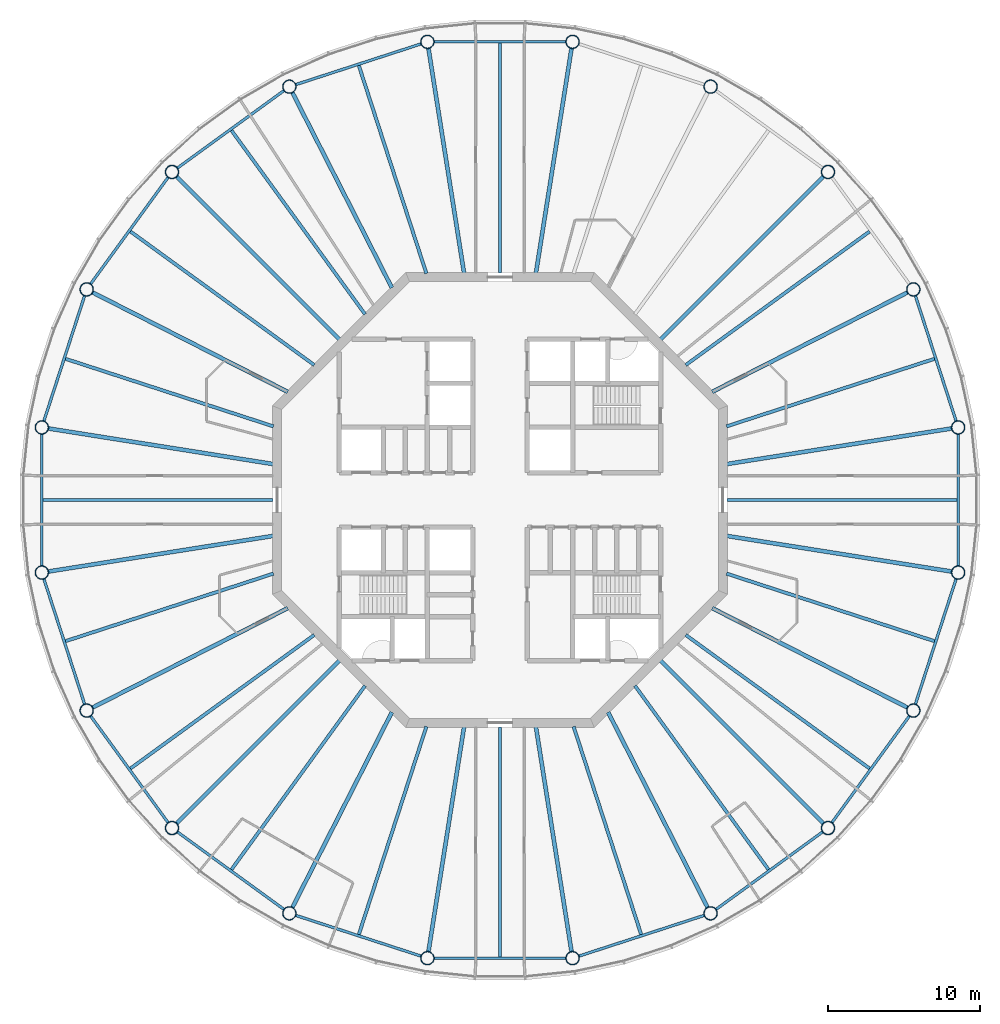
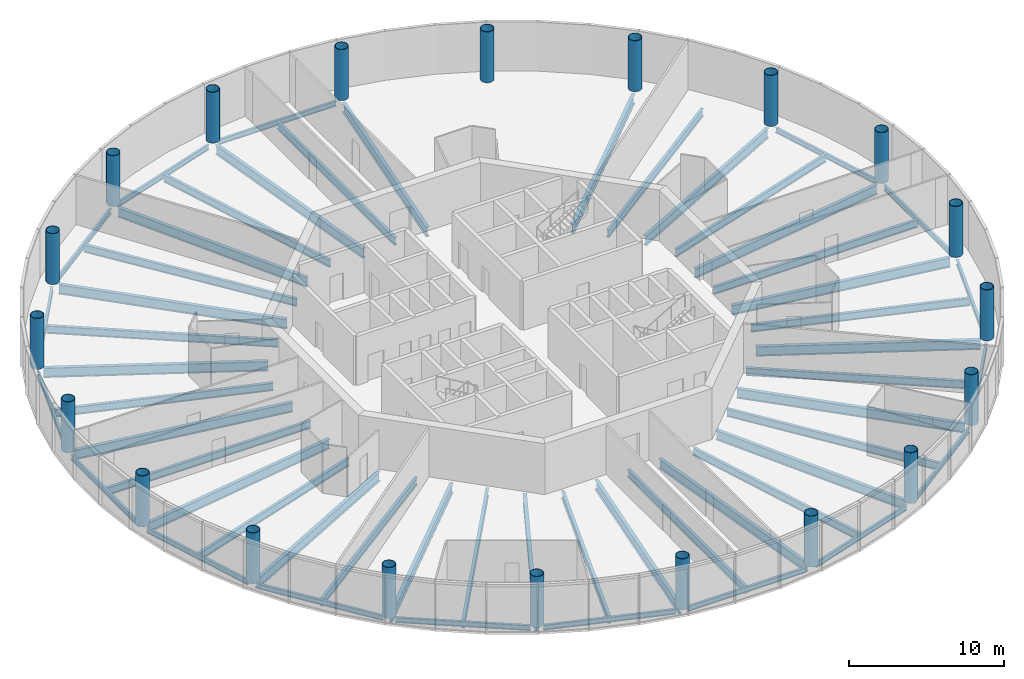
# One storey, part 1 of 13: 54 beams, 20 columns.
"""IFC4 building model written with IfcOpenShell, lengths in metres."""

from ifc_helpers import new_model, si_unit, direction, frame, origin, origin_2d, place, context, subcontext, project, spatial, circle, hollow_circle, i_section, extrude, material, material_profile, profile_set, type_object, element, save


model = new_model("IFC4")

# Units and contexts
model_context = context("Model", 3, precision=1e-05, world=origin(), true_north=direction((0.0, 1.0)))
body_context = subcontext(model_context, "Body", "Model", "MODEL_VIEW")
ifc_project = project(units=[si_unit("LENGTHUNIT", "METRE"), si_unit("AREAUNIT", "SQUARE_METRE"), si_unit("VOLUMEUNIT", "CUBIC_METRE"), si_unit("PLANEANGLEUNIT", "RADIAN"), si_unit("MASSUNIT", "GRAM", prefix="KILO")], contexts=[model_context])

# Site, building, storey
site_placement = place(None, origin())
site = spatial("IfcSite", under=ifc_project, at=site_placement, CompositionType="ELEMENT")
building_placement = place(site_placement, origin())
building = spatial("IfcBuilding", under=site, at=building_placement, Name="Entoto Ring Tower", CompositionType="ELEMENT")
storey_placement = place(building_placement, frame((0.0, 0.0, 344.0)))
storey = spatial("IfcBuildingStorey", under=building, at=storey_placement, Name="L79", CompositionType="ELEMENT", Elevation=344.0)

# Columns
ifc_material_1 = material(Name="Steel S355", Category="steel")
ifc_material_profile_1 = material_profile(ifc_material_1, hollow_circle(Radius=0.449951171875, WallThickness=0.0400390625, at=origin_2d()), Name="CHS 900 x 40")
ifc_material_2 = material(Name="Concrete C60/75", Category="concrete")
ifc_material_profile_2 = material_profile(ifc_material_2, circle(Radius=0.409912109375, at=origin_2d()), Name="Concrete C60/75 infill")
ifc_profile_set_1 = profile_set([ifc_material_profile_1, ifc_material_profile_2], Name="Steel S355")
column_type = type_object("IfcColumnType", Name="Ring column 900 x 40 concrete-filled tube", PredefinedType="COLUMN", material=ifc_profile_set_1)
for number, where, z_axis, x_axis, name in (
    (1, (120.22314453125, 84.786865234375, 0.0), (0.0, 0.0, 1.0), (1.0, 0.0, 0.0), "RC6 R01"),
    (2, (117.264892578125, 93.89208984375, 0.0), (0.0, 0.0, 1.0), (1.0, 0.0, 0.0), "RC6 R02"),
    (3, (111.637451171875, 101.637451171875, 0.0), (0.0, 0.0, 1.0), (1.0, 0.0, 0.0), "RC6 R03"),
    (4, (103.89208984375, 107.264892578125, 0.0), (0.0, 0.0, 1.0), (1.0, 0.0, 0.0), "RC6 R04"),
    (5, (94.786865234375, 110.22314453125, 0.0), (0.0, 0.0, 1.0), (1.0, 0.0, 0.0), "RC6 R05"),
    (6, (85.213134765625, 110.22314453125, 0.0), (0.0, 0.0, 1.0), (1.0, 0.0, 0.0), "RC6 R06"),
    (7, (76.10791015625, 107.264892578125, 0.0), (0.0, 0.0, 1.0), (1.0, 0.0, 0.0), "RC6 R07"),
    (8, (68.362548828125, 101.637451171875, 0.0), (0.0, 0.0, 1.0), (1.0, 0.0, 0.0), "RC6 R08"),
    (9, (62.735107421875, 93.89208984375, 0.0), (0.0, 0.0, 1.0), (1.0, 0.0, 0.0), "RC6 R09"),
    (10, (59.77685546875, 84.786865234375, 0.0), (0.0, 0.0, 1.0), (1.0, 0.0, 0.0), "RC6 R10"),
    (11, (59.77685546875, 75.213134765625, 0.0), (0.0, 0.0, 1.0), (1.0, 0.0, 0.0), "RC6 R11"),
    (12, (62.735107421875, 66.10791015625, 0.0), (0.0, 0.0, 1.0), (1.0, 0.0, 0.0), "RC6 R12"),
    (13, (68.362548828125, 58.362548828125, 0.0), (0.0, 0.0, 1.0), (1.0, 0.0, 0.0), "RC6 R13"),
    (14, (76.10791015625, 52.735107421875, 0.0), (0.0, 0.0, 1.0), (1.0, 0.0, 0.0), "RC6 R14"),
    (15, (85.213134765625, 49.77685546875, 0.0), (0.0, 0.0, 1.0), (1.0, 0.0, 0.0), "RC6 R15"),
    (16, (94.786865234375, 49.77685546875, 0.0), (0.0, 0.0, 1.0), (1.0, 0.0, 0.0), "RC6 R16"),
    (17, (103.89208984375, 52.735107421875, 0.0), (0.0, 0.0, 1.0), (1.0, 0.0, 0.0), "RC6 R17"),
    (18, (111.637451171875, 58.362548828125, 0.0), (0.0, 0.0, 1.0), (1.0, 0.0, 0.0), "RC6 R18"),
    (19, (117.264892578125, 66.10791015625, 0.0), (0.0, 0.0, 1.0), (1.0, 0.0, 0.0), "RC6 R19"),
    (20, (120.22314453125, 75.213134765625, 0.0), (0.0, 0.0, 1.0), (1.0, 0.0, 0.0), "RC6 R20"),
):
    element("IfcColumn", number, at=place(storey_placement, frame(where, z_axis=z_axis, x_axis=x_axis)), inside=storey, type_object=column_type, Name=name, PredefinedType="COLUMN", context=body_context, shape_type="SweptSolid", body=[
        extrude(hollow_circle(Radius=0.449951171875, WallThickness=0.0400390625, at=origin_2d()), origin(), (0.0, 0.0, 1.0), 4.0),
    ])

# Beams
ifc_material_3 = material(Name="Steel S355", Category="steel")
ifc_material_profile_3 = material_profile(ifc_material_3, i_section(OverallWidth=0.179931640625, OverallDepth=0.39990234375, WebThickness=0.008544921875, FlangeThickness=0.013427734375, FilletRadius=0.02099609375, at=origin_2d()), Name="IPE 400")
ifc_profile_set_2 = profile_set([ifc_material_profile_3], Name="Steel S355")
beam_type_1 = type_object("IfcBeamType", Name="Edge beam IPE 400", PredefinedType="SPANDREL", material=ifc_profile_set_2)
beam_1_placement = place(storey_placement, frame((120.09326171875, 85.187255859375, -0.35009765625), z_axis=(-0.309030438368, 0.951052147972, 0.0), x_axis=(-0.951052147972, -0.309030438368, 0.0)))
element("IfcBeam", 21, at=beam_1_placement, inside=storey, type_object=beam_type_1, Name="Edge beam L79 01", PredefinedType="SPANDREL", context=body_context, shape_type="SweptSolid", body=[
    extrude(i_section(OverallWidth=0.179931640625, OverallDepth=0.39990234375, WebThickness=0.008544921875, FlangeThickness=0.013427734375, FilletRadius=0.02099609375, at=origin_2d()), origin(), (0.0, 0.0, 1.0), 8.732177734375),
])
beam_2_placement = place(storey_placement, frame((94.365966796875, 110.22314453125, -0.35009765625), z_axis=(-1.0, 0.0, 0.0), x_axis=(0.0, -1.0, 0.0)))
element("IfcBeam", 22, at=beam_2_placement, inside=storey, type_object=beam_type_1, Name="Edge beam L79 05", PredefinedType="SPANDREL", context=body_context, shape_type="SweptSolid", body=[
    extrude(i_section(OverallWidth=0.179931640625, OverallDepth=0.39990234375, WebThickness=0.008544921875, FlangeThickness=0.013427734375, FilletRadius=0.02099609375, at=origin_2d()), origin(), (0.0, 0.0, 1.0), 8.73193359375),
])
beam_3_placement = place(storey_placement, frame((84.812744140625, 110.09326171875, -0.35009765625), z_axis=(-0.951052147972, -0.309030438368, 0.0), x_axis=(0.309030438368, -0.951052147972, 0.0)))
element("IfcBeam", 23, at=beam_3_placement, inside=storey, type_object=beam_type_1, Name="Edge beam L79 06", PredefinedType="SPANDREL", context=body_context, shape_type="SweptSolid", body=[
    extrude(i_section(OverallWidth=0.179931640625, OverallDepth=0.39990234375, WebThickness=0.008544921875, FlangeThickness=0.013427734375, FilletRadius=0.02099609375, at=origin_2d()), origin(), (0.0, 0.0, 1.0), 8.732177734375),
])
for number, where, z_axis, x_axis, name in (
    (24, (75.767333984375, 107.017333984375, -0.35009765625), (-0.80901045354, -0.587794254874, 0.0), (0.587794254874, -0.80901045354, 0.0), "Edge beam L79 07"),
    (25, (68.115234375, 101.296875, -0.35009765625), (-0.587794254874, -0.80901045354, 0.0), (0.80901045354, -0.587794254874, 0.0), "Edge beam L79 08"),
):
    element("IfcBeam", number, at=place(storey_placement, frame(where, z_axis=z_axis, x_axis=x_axis)), inside=storey, type_object=beam_type_1, Name=name, PredefinedType="SPANDREL", context=body_context, shape_type="SweptSolid", body=[
        extrude(i_section(OverallWidth=0.179931640625, OverallDepth=0.39990234375, WebThickness=0.008544921875, FlangeThickness=0.013427734375, FilletRadius=0.02099609375, at=origin_2d()), origin(), (0.0, 0.0, 1.0), 8.73193359375),
    ])
beam_4_placement = place(storey_placement, frame((62.605224609375, 93.491943359375, -0.35009765625), z_axis=(-0.309030438368, -0.951052147972, 0.0), x_axis=(0.951052147972, -0.309030438368, 0.0)))
element("IfcBeam", 26, at=beam_4_placement, inside=storey, type_object=beam_type_1, Name="Edge beam L79 09", PredefinedType="SPANDREL", context=body_context, shape_type="SweptSolid", body=[
    extrude(i_section(OverallWidth=0.179931640625, OverallDepth=0.39990234375, WebThickness=0.008544921875, FlangeThickness=0.013427734375, FilletRadius=0.02099609375, at=origin_2d()), origin(), (0.0, 0.0, 1.0), 8.732177734375),
])
beam_5_placement = place(storey_placement, frame((59.77685546875, 84.365966796875, -0.35009765625), z_axis=(0.0, -1.0, 0.0), x_axis=(1.0, 0.0, 0.0)))
element("IfcBeam", 27, at=beam_5_placement, inside=storey, type_object=beam_type_1, Name="Edge beam L79 10", PredefinedType="SPANDREL", context=body_context, shape_type="SweptSolid", body=[
    extrude(i_section(OverallWidth=0.179931640625, OverallDepth=0.39990234375, WebThickness=0.008544921875, FlangeThickness=0.013427734375, FilletRadius=0.02099609375, at=origin_2d()), origin(), (0.0, 0.0, 1.0), 8.73193359375),
])
beam_6_placement = place(storey_placement, frame((59.90673828125, 74.812744140625, -0.35009765625), z_axis=(0.309030438368, -0.951052147972, 0.0), x_axis=(0.951052147972, 0.309030438368, 0.0)))
element("IfcBeam", 28, at=beam_6_placement, inside=storey, type_object=beam_type_1, Name="Edge beam L79 11", PredefinedType="SPANDREL", context=body_context, shape_type="SweptSolid", body=[
    extrude(i_section(OverallWidth=0.179931640625, OverallDepth=0.39990234375, WebThickness=0.008544921875, FlangeThickness=0.013427734375, FilletRadius=0.02099609375, at=origin_2d()), origin(), (0.0, 0.0, 1.0), 8.732177734375),
])
for number, where, z_axis, x_axis, name in (
    (29, (62.982666015625, 65.767333984375, -0.35009765625), (0.587794254874, -0.80901045354, 0.0), (0.80901045354, 0.587794254874, 0.0), "Edge beam L79 12"),
    (30, (68.703125, 58.115234375, -0.35009765625), (0.80901045354, -0.587794254874, 0.0), (0.587794254874, 0.80901045354, 0.0), "Edge beam L79 13"),
):
    element("IfcBeam", number, at=place(storey_placement, frame(where, z_axis=z_axis, x_axis=x_axis)), inside=storey, type_object=beam_type_1, Name=name, PredefinedType="SPANDREL", context=body_context, shape_type="SweptSolid", body=[
        extrude(i_section(OverallWidth=0.179931640625, OverallDepth=0.39990234375, WebThickness=0.008544921875, FlangeThickness=0.013427734375, FilletRadius=0.02099609375, at=origin_2d()), origin(), (0.0, 0.0, 1.0), 8.73193359375),
    ])
beam_7_placement = place(storey_placement, frame((76.508056640625, 52.605224609375, -0.35009765625), z_axis=(0.951052147972, -0.309030438368, 0.0), x_axis=(0.309030438368, 0.951052147972, 0.0)))
element("IfcBeam", 31, at=beam_7_placement, inside=storey, type_object=beam_type_1, Name="Edge beam L79 14", PredefinedType="SPANDREL", context=body_context, shape_type="SweptSolid", body=[
    extrude(i_section(OverallWidth=0.179931640625, OverallDepth=0.39990234375, WebThickness=0.008544921875, FlangeThickness=0.013427734375, FilletRadius=0.02099609375, at=origin_2d()), origin(), (0.0, 0.0, 1.0), 8.732177734375),
])
beam_8_placement = place(storey_placement, frame((85.634033203125, 49.77685546875, -0.35009765625), z_axis=(1.0, 0.0, 0.0), x_axis=(0.0, 1.0, 0.0)))
element("IfcBeam", 32, at=beam_8_placement, inside=storey, type_object=beam_type_1, Name="Edge beam L79 15", PredefinedType="SPANDREL", context=body_context, shape_type="SweptSolid", body=[
    extrude(i_section(OverallWidth=0.179931640625, OverallDepth=0.39990234375, WebThickness=0.008544921875, FlangeThickness=0.013427734375, FilletRadius=0.02099609375, at=origin_2d()), origin(), (0.0, 0.0, 1.0), 8.73193359375),
])
beam_9_placement = place(storey_placement, frame((95.187255859375, 49.90673828125, -0.35009765625), z_axis=(0.951052147972, 0.309030438368, 0.0), x_axis=(-0.309030438368, 0.951052147972, 0.0)))
element("IfcBeam", 33, at=beam_9_placement, inside=storey, type_object=beam_type_1, Name="Edge beam L79 16", PredefinedType="SPANDREL", context=body_context, shape_type="SweptSolid", body=[
    extrude(i_section(OverallWidth=0.179931640625, OverallDepth=0.39990234375, WebThickness=0.008544921875, FlangeThickness=0.013427734375, FilletRadius=0.02099609375, at=origin_2d()), origin(), (0.0, 0.0, 1.0), 8.732177734375),
])
for number, where, z_axis, x_axis, name in (
    (34, (104.232666015625, 52.982666015625, -0.35009765625), (0.80901045354, 0.587794254874, 0.0), (-0.587794254874, 0.80901045354, 0.0), "Edge beam L79 17"),
    (35, (111.884765625, 58.703125, -0.35009765625), (0.587794254874, 0.80901045354, 0.0), (-0.80901045354, 0.587794254874, 0.0), "Edge beam L79 18"),
):
    element("IfcBeam", number, at=place(storey_placement, frame(where, z_axis=z_axis, x_axis=x_axis)), inside=storey, type_object=beam_type_1, Name=name, PredefinedType="SPANDREL", context=body_context, shape_type="SweptSolid", body=[
        extrude(i_section(OverallWidth=0.179931640625, OverallDepth=0.39990234375, WebThickness=0.008544921875, FlangeThickness=0.013427734375, FilletRadius=0.02099609375, at=origin_2d()), origin(), (0.0, 0.0, 1.0), 8.73193359375),
    ])
beam_10_placement = place(storey_placement, frame((117.394775390625, 66.508056640625, -0.35009765625), z_axis=(0.309030438368, 0.951052147972, 0.0), x_axis=(-0.951052147972, 0.309030438368, 0.0)))
element("IfcBeam", 36, at=beam_10_placement, inside=storey, type_object=beam_type_1, Name="Edge beam L79 19", PredefinedType="SPANDREL", context=body_context, shape_type="SweptSolid", body=[
    extrude(i_section(OverallWidth=0.179931640625, OverallDepth=0.39990234375, WebThickness=0.008544921875, FlangeThickness=0.013427734375, FilletRadius=0.02099609375, at=origin_2d()), origin(), (0.0, 0.0, 1.0), 8.732177734375),
])
beam_11_placement = place(storey_placement, frame((120.22314453125, 75.634033203125, -0.35009765625), z_axis=(0.0, 1.0, 0.0), x_axis=(-1.0, 0.0, 0.0)))
element("IfcBeam", 37, at=beam_11_placement, inside=storey, type_object=beam_type_1, Name="Edge beam L79 20", PredefinedType="SPANDREL", context=body_context, shape_type="SweptSolid", body=[
    extrude(i_section(OverallWidth=0.179931640625, OverallDepth=0.39990234375, WebThickness=0.008544921875, FlangeThickness=0.013427734375, FilletRadius=0.02099609375, at=origin_2d()), origin(), (0.0, 0.0, 1.0), 8.73193359375),
])
ifc_material_4 = material(Name="Steel S355", Category="steel")
ifc_material_profile_4 = material_profile(ifc_material_4, i_section(OverallWidth=0.262939453125, OverallDepth=0.7529296875, WebThickness=0.011474609375, FlangeThickness=0.01708984375, FilletRadius=0.01708984375, at=origin_2d()), Name="IPE 750 x 137")
ifc_profile_set_3 = profile_set([ifc_material_profile_4], Name="Steel S355")
beam_type_2 = type_object("IfcBeamType", Name="Primary floor beam IPE 750 x 137", PredefinedType="BEAM", material=ifc_profile_set_3)
beam_12_placement = place(storey_placement, frame((104.959716796875, 82.369384765625, -0.526611328125), z_axis=(0.987688638122, 0.156432586517, 0.0), x_axis=(-0.156432586517, 0.987688638122, 0.0)))
element("IfcBeam", 38, at=beam_12_placement, inside=storey, type_object=beam_type_2, Name="Primary L79 R01", PredefinedType="BEAM", context=body_context, shape_type="SweptSolid", body=[
    extrude(i_section(OverallWidth=0.262939453125, OverallDepth=0.7529296875, WebThickness=0.011474609375, FlangeThickness=0.01708984375, FilletRadius=0.01708984375, at=origin_2d()), origin(), (0.0, 0.0, 1.0), 15.04345703125),
])
beam_13_placement = place(storey_placement, frame((103.9970703125, 87.1318359375, -0.526611328125), z_axis=(0.89100578373, 0.453991952968, 0.0), x_axis=(-0.453991952968, 0.89100578373, 0.0)))
element("IfcBeam", 39, at=beam_13_placement, inside=storey, type_object=beam_type_2, Name="Primary L79 R02", PredefinedType="BEAM", context=body_context, shape_type="SweptSolid", body=[
    extrude(i_section(OverallWidth=0.262939453125, OverallDepth=0.7529296875, WebThickness=0.011474609375, FlangeThickness=0.01708984375, FilletRadius=0.01708984375, at=origin_2d()), origin(), (0.0, 0.0, 1.0), 14.48046875),
])
beam_14_placement = place(storey_placement, frame((100.592529296875, 90.592529296875, -0.526611328125), z_axis=(0.707106781187, 0.707106781187, 0.0), x_axis=(-0.707106781187, 0.707106781187, 0.0)))
element("IfcBeam", 40, at=beam_14_placement, inside=storey, type_object=beam_type_2, Name="Primary L79 R03", PredefinedType="BEAM", context=body_context, shape_type="SweptSolid", body=[
    extrude(i_section(OverallWidth=0.262939453125, OverallDepth=0.7529296875, WebThickness=0.011474609375, FlangeThickness=0.01708984375, FilletRadius=0.01708984375, at=origin_2d()), origin(), (0.0, 0.0, 1.0), 15.209716796875),
])
for number, where, z_axis, x_axis, name in (
    (41, (92.369384765625, 94.959716796875, -0.526611328125), (0.156432586517, 0.987688638122, 0.0), (-0.987688638122, 0.156432586517, 0.0), "Primary L79 R05"),
    (42, (87.630615234375, 94.959716796875, -0.526611328125), (-0.156432586517, 0.987688638122, 0.0), (-0.987688638122, -0.156432586517, 0.0), "Primary L79 R06"),
):
    element("IfcBeam", number, at=place(storey_placement, frame(where, z_axis=z_axis, x_axis=x_axis)), inside=storey, type_object=beam_type_2, Name=name, PredefinedType="BEAM", context=body_context, shape_type="SweptSolid", body=[
        extrude(i_section(OverallWidth=0.262939453125, OverallDepth=0.7529296875, WebThickness=0.011474609375, FlangeThickness=0.01708984375, FilletRadius=0.01708984375, at=origin_2d()), origin(), (0.0, 0.0, 1.0), 15.04345703125),
    ])
beam_15_placement = place(storey_placement, frame((82.8681640625, 93.9970703125, -0.526611328125), z_axis=(-0.453991952968, 0.89100578373, 0.0), x_axis=(-0.89100578373, -0.453991952968, 0.0)))
element("IfcBeam", 43, at=beam_15_placement, inside=storey, type_object=beam_type_2, Name="Primary L79 R07", PredefinedType="BEAM", context=body_context, shape_type="SweptSolid", body=[
    extrude(i_section(OverallWidth=0.262939453125, OverallDepth=0.7529296875, WebThickness=0.011474609375, FlangeThickness=0.01708984375, FilletRadius=0.01708984375, at=origin_2d()), origin(), (0.0, 0.0, 1.0), 14.48046875),
])
beam_16_placement = place(storey_placement, frame((79.407470703125, 90.592529296875, -0.526611328125), z_axis=(-0.707106781187, 0.707106781187, 0.0), x_axis=(-0.707106781187, -0.707106781187, 0.0)))
element("IfcBeam", 44, at=beam_16_placement, inside=storey, type_object=beam_type_2, Name="Primary L79 R08", PredefinedType="BEAM", context=body_context, shape_type="SweptSolid", body=[
    extrude(i_section(OverallWidth=0.262939453125, OverallDepth=0.7529296875, WebThickness=0.011474609375, FlangeThickness=0.01708984375, FilletRadius=0.01708984375, at=origin_2d()), origin(), (0.0, 0.0, 1.0), 15.209716796875),
])
beam_17_placement = place(storey_placement, frame((76.0029296875, 87.1318359375, -0.526611328125), z_axis=(-0.89100578373, 0.453991952968, 0.0), x_axis=(-0.453991952968, -0.89100578373, 0.0)))
element("IfcBeam", 45, at=beam_17_placement, inside=storey, type_object=beam_type_2, Name="Primary L79 R09", PredefinedType="BEAM", context=body_context, shape_type="SweptSolid", body=[
    extrude(i_section(OverallWidth=0.262939453125, OverallDepth=0.7529296875, WebThickness=0.011474609375, FlangeThickness=0.01708984375, FilletRadius=0.01708984375, at=origin_2d()), origin(), (0.0, 0.0, 1.0), 14.48046875),
])
for number, where, z_axis, x_axis, name in (
    (46, (75.040283203125, 82.369384765625, -0.526611328125), (-0.987688638122, 0.156432586517, 0.0), (-0.156432586517, -0.987688638122, 0.0), "Primary L79 R10"),
    (47, (75.040283203125, 77.630615234375, -0.526611328125), (-0.987688638122, -0.156432586517, 0.0), (0.156432586517, -0.987688638122, 0.0), "Primary L79 R11"),
):
    element("IfcBeam", number, at=place(storey_placement, frame(where, z_axis=z_axis, x_axis=x_axis)), inside=storey, type_object=beam_type_2, Name=name, PredefinedType="BEAM", context=body_context, shape_type="SweptSolid", body=[
        extrude(i_section(OverallWidth=0.262939453125, OverallDepth=0.7529296875, WebThickness=0.011474609375, FlangeThickness=0.01708984375, FilletRadius=0.01708984375, at=origin_2d()), origin(), (0.0, 0.0, 1.0), 15.04345703125),
    ])
beam_18_placement = place(storey_placement, frame((76.0029296875, 72.8681640625, -0.526611328125), z_axis=(-0.89100578373, -0.453991952968, 0.0), x_axis=(0.453991952968, -0.89100578373, 0.0)))
element("IfcBeam", 48, at=beam_18_placement, inside=storey, type_object=beam_type_2, Name="Primary L79 R12", PredefinedType="BEAM", context=body_context, shape_type="SweptSolid", body=[
    extrude(i_section(OverallWidth=0.262939453125, OverallDepth=0.7529296875, WebThickness=0.011474609375, FlangeThickness=0.01708984375, FilletRadius=0.01708984375, at=origin_2d()), origin(), (0.0, 0.0, 1.0), 14.48046875),
])
beam_19_placement = place(storey_placement, frame((79.407470703125, 69.407470703125, -0.526611328125), z_axis=(-0.707106781187, -0.707106781187, 0.0), x_axis=(0.707106781187, -0.707106781187, 0.0)))
element("IfcBeam", 49, at=beam_19_placement, inside=storey, type_object=beam_type_2, Name="Primary L79 R13", PredefinedType="BEAM", context=body_context, shape_type="SweptSolid", body=[
    extrude(i_section(OverallWidth=0.262939453125, OverallDepth=0.7529296875, WebThickness=0.011474609375, FlangeThickness=0.01708984375, FilletRadius=0.01708984375, at=origin_2d()), origin(), (0.0, 0.0, 1.0), 15.209716796875),
])
beam_20_placement = place(storey_placement, frame((82.8681640625, 66.0029296875, -0.526611328125), z_axis=(-0.453991952968, -0.89100578373, 0.0), x_axis=(0.89100578373, -0.453991952968, 0.0)))
element("IfcBeam", 50, at=beam_20_placement, inside=storey, type_object=beam_type_2, Name="Primary L79 R14", PredefinedType="BEAM", context=body_context, shape_type="SweptSolid", body=[
    extrude(i_section(OverallWidth=0.262939453125, OverallDepth=0.7529296875, WebThickness=0.011474609375, FlangeThickness=0.01708984375, FilletRadius=0.01708984375, at=origin_2d()), origin(), (0.0, 0.0, 1.0), 14.48046875),
])
for number, where, z_axis, x_axis, name in (
    (51, (87.630615234375, 65.040283203125, -0.526611328125), (-0.156432586517, -0.987688638122, 0.0), (0.987688638122, -0.156432586517, 0.0), "Primary L79 R15"),
    (52, (92.369384765625, 65.040283203125, -0.526611328125), (0.156432586517, -0.987688638122, 0.0), (0.987688638122, 0.156432586517, 0.0), "Primary L79 R16"),
):
    element("IfcBeam", number, at=place(storey_placement, frame(where, z_axis=z_axis, x_axis=x_axis)), inside=storey, type_object=beam_type_2, Name=name, PredefinedType="BEAM", context=body_context, shape_type="SweptSolid", body=[
        extrude(i_section(OverallWidth=0.262939453125, OverallDepth=0.7529296875, WebThickness=0.011474609375, FlangeThickness=0.01708984375, FilletRadius=0.01708984375, at=origin_2d()), origin(), (0.0, 0.0, 1.0), 15.04345703125),
    ])
beam_21_placement = place(storey_placement, frame((97.1318359375, 66.0029296875, -0.526611328125), z_axis=(0.453991952968, -0.89100578373, 0.0), x_axis=(0.89100578373, 0.453991952968, 0.0)))
element("IfcBeam", 53, at=beam_21_placement, inside=storey, type_object=beam_type_2, Name="Primary L79 R17", PredefinedType="BEAM", context=body_context, shape_type="SweptSolid", body=[
    extrude(i_section(OverallWidth=0.262939453125, OverallDepth=0.7529296875, WebThickness=0.011474609375, FlangeThickness=0.01708984375, FilletRadius=0.01708984375, at=origin_2d()), origin(), (0.0, 0.0, 1.0), 14.48046875),
])
beam_22_placement = place(storey_placement, frame((100.592529296875, 69.407470703125, -0.526611328125), z_axis=(0.707106781187, -0.707106781187, 0.0), x_axis=(0.707106781187, 0.707106781187, 0.0)))
element("IfcBeam", 54, at=beam_22_placement, inside=storey, type_object=beam_type_2, Name="Primary L79 R18", PredefinedType="BEAM", context=body_context, shape_type="SweptSolid", body=[
    extrude(i_section(OverallWidth=0.262939453125, OverallDepth=0.7529296875, WebThickness=0.011474609375, FlangeThickness=0.01708984375, FilletRadius=0.01708984375, at=origin_2d()), origin(), (0.0, 0.0, 1.0), 15.209716796875),
])
beam_23_placement = place(storey_placement, frame((103.9970703125, 72.8681640625, -0.526611328125), z_axis=(0.89100578373, -0.453991952968, 0.0), x_axis=(0.453991952968, 0.89100578373, 0.0)))
element("IfcBeam", 55, at=beam_23_placement, inside=storey, type_object=beam_type_2, Name="Primary L79 R19", PredefinedType="BEAM", context=body_context, shape_type="SweptSolid", body=[
    extrude(i_section(OverallWidth=0.262939453125, OverallDepth=0.7529296875, WebThickness=0.011474609375, FlangeThickness=0.01708984375, FilletRadius=0.01708984375, at=origin_2d()), origin(), (0.0, 0.0, 1.0), 14.48046875),
])
beam_24_placement = place(storey_placement, frame((104.959716796875, 77.630615234375, -0.526611328125), z_axis=(0.987688638122, -0.156432586517, 0.0), x_axis=(0.156432586517, 0.987688638122, 0.0)))
element("IfcBeam", 56, at=beam_24_placement, inside=storey, type_object=beam_type_2, Name="Primary L79 R20", PredefinedType="BEAM", context=body_context, shape_type="SweptSolid", body=[
    extrude(i_section(OverallWidth=0.262939453125, OverallDepth=0.7529296875, WebThickness=0.011474609375, FlangeThickness=0.01708984375, FilletRadius=0.01708984375, at=origin_2d()), origin(), (0.0, 0.0, 1.0), 15.04345703125),
])
ifc_material_5 = material(Name="Steel S355", Category="steel")
ifc_material_profile_5 = material_profile(ifc_material_5, i_section(OverallWidth=0.219970703125, OverallDepth=0.60009765625, WebThickness=0.011962890625, FlangeThickness=0.01904296875, FilletRadius=0.02392578125, at=origin_2d()), Name="IPE 600")
ifc_profile_set_4 = profile_set([ifc_material_profile_5], Name="Steel S355")
beam_type_3 = type_object("IfcBeamType", Name="Secondary floor beam IPE 600", PredefinedType="JOIST", material=ifc_profile_set_4)
beam_25_placement = place(storey_placement, frame((104.947021484375, 84.856689453125, -0.449951171875), z_axis=(0.951057212949, 0.309014850288, 0.0), x_axis=(-0.309014850288, 0.951057212949, 0.0)))
element("IfcBeam", 57, at=beam_25_placement, inside=storey, type_object=beam_type_3, Name="Secondary beam L79 01", PredefinedType="JOIST", context=body_context, shape_type="SweptSolid", body=[
    extrude(i_section(OverallWidth=0.219970703125, OverallDepth=0.60009765625, WebThickness=0.011962890625, FlangeThickness=0.01904296875, FilletRadius=0.02392578125, at=origin_2d()), origin(), (0.0, 0.0, 1.0), 14.4169921875),
])
beam_26_placement = place(storey_placement, frame((102.25634765625, 88.90478515625, -0.449951171875), z_axis=(0.809019238239, 0.587782163866, 0.0), x_axis=(-0.587782163866, 0.809019238239, 0.0)))
element("IfcBeam", 58, at=beam_26_placement, inside=storey, type_object=beam_type_3, Name="Secondary beam L79 02", PredefinedType="JOIST", context=body_context, shape_type="SweptSolid", body=[
    extrude(i_section(OverallWidth=0.219970703125, OverallDepth=0.60009765625, WebThickness=0.011962890625, FlangeThickness=0.01904296875, FilletRadius=0.02392578125, at=origin_2d()), origin(), (0.0, 0.0, 1.0), 14.983642578125),
])
beam_27_placement = place(storey_placement, frame((90.0, 94.97998046875, -0.449951171875), z_axis=(0.0, 1.0, 0.0), x_axis=(-1.0, 0.0, 0.0)))
element("IfcBeam", 59, at=beam_27_placement, inside=storey, type_object=beam_type_3, Name="Secondary beam L79 05", PredefinedType="JOIST", context=body_context, shape_type="SweptSolid", body=[
    extrude(i_section(OverallWidth=0.219970703125, OverallDepth=0.60009765625, WebThickness=0.011962890625, FlangeThickness=0.01904296875, FilletRadius=0.02392578125, at=origin_2d()), origin(), (0.0, 0.0, 1.0), 15.1533203125),
])
beam_28_placement = place(storey_placement, frame((85.143310546875, 94.947021484375, -0.449951171875), z_axis=(-0.309014850288, 0.951057212949, 0.0), x_axis=(-0.951057212949, -0.309014850288, 0.0)))
element("IfcBeam", 60, at=beam_28_placement, inside=storey, type_object=beam_type_3, Name="Secondary beam L79 06", PredefinedType="JOIST", context=body_context, shape_type="SweptSolid", body=[
    extrude(i_section(OverallWidth=0.219970703125, OverallDepth=0.60009765625, WebThickness=0.011962890625, FlangeThickness=0.01904296875, FilletRadius=0.02392578125, at=origin_2d()), origin(), (0.0, 0.0, 1.0), 14.4169921875),
])
for number, where, z_axis, x_axis, name in (
    (61, (81.09521484375, 92.25634765625, -0.449951171875), (-0.587782163866, 0.809019238239, 0.0), (-0.809019238239, -0.587782163866, 0.0), "Secondary beam L79 07"),
    (62, (77.74365234375, 88.90478515625, -0.449951171875), (-0.809019238239, 0.587782163866, 0.0), (-0.587782163866, -0.809019238239, 0.0), "Secondary beam L79 08"),
):
    element("IfcBeam", number, at=place(storey_placement, frame(where, z_axis=z_axis, x_axis=x_axis)), inside=storey, type_object=beam_type_3, Name=name, PredefinedType="JOIST", context=body_context, shape_type="SweptSolid", body=[
        extrude(i_section(OverallWidth=0.219970703125, OverallDepth=0.60009765625, WebThickness=0.011962890625, FlangeThickness=0.01904296875, FilletRadius=0.02392578125, at=origin_2d()), origin(), (0.0, 0.0, 1.0), 14.983642578125),
    ])
beam_29_placement = place(storey_placement, frame((75.052978515625, 84.856689453125, -0.449951171875), z_axis=(-0.951057212949, 0.309014850288, 0.0), x_axis=(-0.309014850288, -0.951057212949, 0.0)))
element("IfcBeam", 63, at=beam_29_placement, inside=storey, type_object=beam_type_3, Name="Secondary beam L79 09", PredefinedType="JOIST", context=body_context, shape_type="SweptSolid", body=[
    extrude(i_section(OverallWidth=0.219970703125, OverallDepth=0.60009765625, WebThickness=0.011962890625, FlangeThickness=0.01904296875, FilletRadius=0.02392578125, at=origin_2d()), origin(), (0.0, 0.0, 1.0), 14.4169921875),
])
beam_30_placement = place(storey_placement, frame((75.02001953125, 80.0, -0.449951171875), z_axis=(-1.0, 0.0, 0.0), x_axis=(0.0, -1.0, 0.0)))
element("IfcBeam", 64, at=beam_30_placement, inside=storey, type_object=beam_type_3, Name="Secondary beam L79 10", PredefinedType="JOIST", context=body_context, shape_type="SweptSolid", body=[
    extrude(i_section(OverallWidth=0.219970703125, OverallDepth=0.60009765625, WebThickness=0.011962890625, FlangeThickness=0.01904296875, FilletRadius=0.02392578125, at=origin_2d()), origin(), (0.0, 0.0, 1.0), 15.1533203125),
])
beam_31_placement = place(storey_placement, frame((75.052978515625, 75.143310546875, -0.449951171875), z_axis=(-0.951057212949, -0.309014850288, 0.0), x_axis=(0.309014850288, -0.951057212949, 0.0)))
element("IfcBeam", 65, at=beam_31_placement, inside=storey, type_object=beam_type_3, Name="Secondary beam L79 11", PredefinedType="JOIST", context=body_context, shape_type="SweptSolid", body=[
    extrude(i_section(OverallWidth=0.219970703125, OverallDepth=0.60009765625, WebThickness=0.011962890625, FlangeThickness=0.01904296875, FilletRadius=0.02392578125, at=origin_2d()), origin(), (0.0, 0.0, 1.0), 14.4169921875),
])
for number, where, z_axis, x_axis, name in (
    (66, (77.74365234375, 71.09521484375, -0.449951171875), (-0.809019238239, -0.587782163866, 0.0), (0.587782163866, -0.809019238239, 0.0), "Secondary beam L79 12"),
    (67, (81.09521484375, 67.74365234375, -0.449951171875), (-0.587782163866, -0.809019238239, 0.0), (0.809019238239, -0.587782163866, 0.0), "Secondary beam L79 13"),
):
    element("IfcBeam", number, at=place(storey_placement, frame(where, z_axis=z_axis, x_axis=x_axis)), inside=storey, type_object=beam_type_3, Name=name, PredefinedType="JOIST", context=body_context, shape_type="SweptSolid", body=[
        extrude(i_section(OverallWidth=0.219970703125, OverallDepth=0.60009765625, WebThickness=0.011962890625, FlangeThickness=0.01904296875, FilletRadius=0.02392578125, at=origin_2d()), origin(), (0.0, 0.0, 1.0), 14.983642578125),
    ])
beam_32_placement = place(storey_placement, frame((85.143310546875, 65.052978515625, -0.449951171875), z_axis=(-0.309014850288, -0.951057212949, 0.0), x_axis=(0.951057212949, -0.309014850288, 0.0)))
element("IfcBeam", 68, at=beam_32_placement, inside=storey, type_object=beam_type_3, Name="Secondary beam L79 14", PredefinedType="JOIST", context=body_context, shape_type="SweptSolid", body=[
    extrude(i_section(OverallWidth=0.219970703125, OverallDepth=0.60009765625, WebThickness=0.011962890625, FlangeThickness=0.01904296875, FilletRadius=0.02392578125, at=origin_2d()), origin(), (0.0, 0.0, 1.0), 14.4169921875),
])
beam_33_placement = place(storey_placement, frame((90.0, 65.02001953125, -0.449951171875), z_axis=(0.0, -1.0, 0.0), x_axis=(1.0, 0.0, 0.0)))
element("IfcBeam", 69, at=beam_33_placement, inside=storey, type_object=beam_type_3, Name="Secondary beam L79 15", PredefinedType="JOIST", context=body_context, shape_type="SweptSolid", body=[
    extrude(i_section(OverallWidth=0.219970703125, OverallDepth=0.60009765625, WebThickness=0.011962890625, FlangeThickness=0.01904296875, FilletRadius=0.02392578125, at=origin_2d()), origin(), (0.0, 0.0, 1.0), 15.1533203125),
])
beam_34_placement = place(storey_placement, frame((94.856689453125, 65.052978515625, -0.449951171875), z_axis=(0.309014850288, -0.951057212949, 0.0), x_axis=(0.951057212949, 0.309014850288, 0.0)))
element("IfcBeam", 70, at=beam_34_placement, inside=storey, type_object=beam_type_3, Name="Secondary beam L79 16", PredefinedType="JOIST", context=body_context, shape_type="SweptSolid", body=[
    extrude(i_section(OverallWidth=0.219970703125, OverallDepth=0.60009765625, WebThickness=0.011962890625, FlangeThickness=0.01904296875, FilletRadius=0.02392578125, at=origin_2d()), origin(), (0.0, 0.0, 1.0), 14.4169921875),
])
for number, where, z_axis, x_axis, name in (
    (71, (98.90478515625, 67.74365234375, -0.449951171875), (0.587782163866, -0.809019238239, 0.0), (0.809019238239, 0.587782163866, 0.0), "Secondary beam L79 17"),
    (72, (102.25634765625, 71.09521484375, -0.449951171875), (0.809019238239, -0.587782163866, 0.0), (0.587782163866, 0.809019238239, 0.0), "Secondary beam L79 18"),
):
    element("IfcBeam", number, at=place(storey_placement, frame(where, z_axis=z_axis, x_axis=x_axis)), inside=storey, type_object=beam_type_3, Name=name, PredefinedType="JOIST", context=body_context, shape_type="SweptSolid", body=[
        extrude(i_section(OverallWidth=0.219970703125, OverallDepth=0.60009765625, WebThickness=0.011962890625, FlangeThickness=0.01904296875, FilletRadius=0.02392578125, at=origin_2d()), origin(), (0.0, 0.0, 1.0), 14.983642578125),
    ])
beam_35_placement = place(storey_placement, frame((104.947021484375, 75.143310546875, -0.449951171875), z_axis=(0.951057212949, -0.309014850288, 0.0), x_axis=(0.309014850288, 0.951057212949, 0.0)))
element("IfcBeam", 73, at=beam_35_placement, inside=storey, type_object=beam_type_3, Name="Secondary beam L79 19", PredefinedType="JOIST", context=body_context, shape_type="SweptSolid", body=[
    extrude(i_section(OverallWidth=0.219970703125, OverallDepth=0.60009765625, WebThickness=0.011962890625, FlangeThickness=0.01904296875, FilletRadius=0.02392578125, at=origin_2d()), origin(), (0.0, 0.0, 1.0), 14.4169921875),
])
beam_36_placement = place(storey_placement, frame((104.97998046875, 80.0, -0.449951171875), z_axis=(1.0, 0.0, 0.0), x_axis=(0.0, 1.0, 0.0)))
element("IfcBeam", 74, at=beam_36_placement, inside=storey, type_object=beam_type_3, Name="Secondary beam L79 20", PredefinedType="JOIST", context=body_context, shape_type="SweptSolid", body=[
    extrude(i_section(OverallWidth=0.219970703125, OverallDepth=0.60009765625, WebThickness=0.011962890625, FlangeThickness=0.01904296875, FilletRadius=0.02392578125, at=origin_2d()), origin(), (0.0, 0.0, 1.0), 15.1533203125),
])

save(model, "model.ifc")
